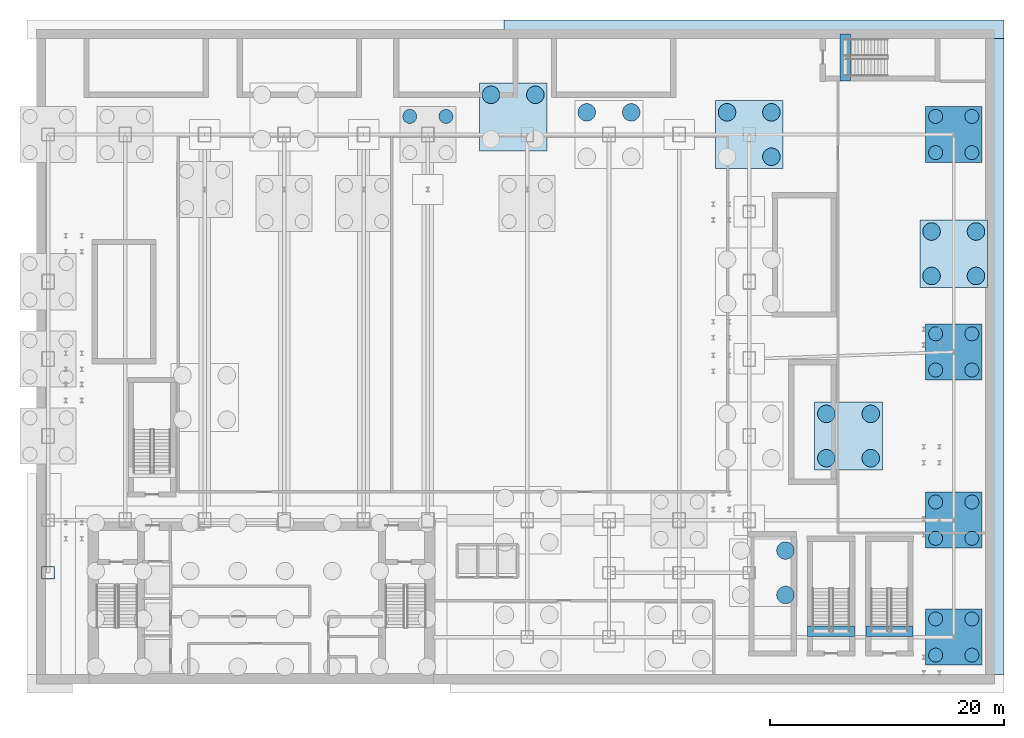
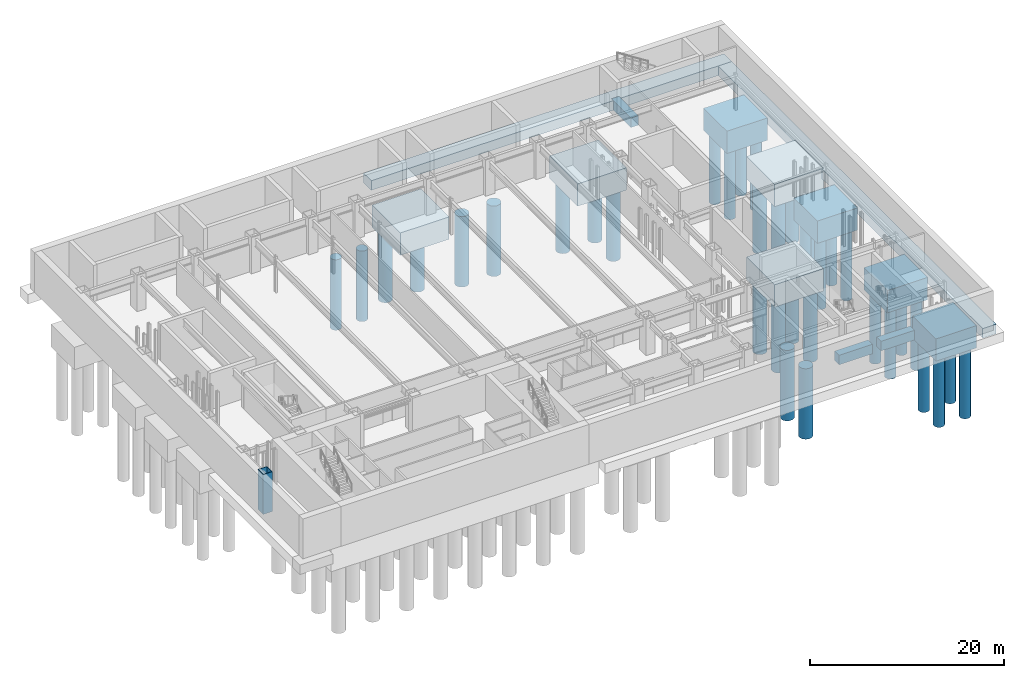
# One storey, part 2 of 17: 35 piles, 13 footings, 1 column.
"""IFC4 building model written with IfcOpenShell, lengths in metres."""

import ifcopenshell
import ifcopenshell.guid

model = None  # the IFC model being written
_history = None  # IfcOwnerHistory: only IFC2X3 demands one
_inside = {}  # id of a spatial element -> (the spatial element, [elements in it])
_under = {}  # id of a project, library or spatial element -> (it, [spatial elements below it])
_declared = {}  # id of a project -> (the project, [libraries it declares])
_typed = {}  # id of a type object -> (the type object, [elements of that type])
_made_of = {}  # id of a material, layer set ... -> (it, [elements and type objects made of it])


def new_model(schema):
    """Start an empty IFC model of exactly this schema.

    Asked for "IFC4X3", IfcOpenShell would pick the latest addendum, in which some entities
    have other attributes; the version numbers below select the first issue.
    IFC2X3 requires an IfcOwnerHistory on every rooted entity: one is made here for all.
    """
    global model, _history
    if schema == "IFC4X3":
        model = ifcopenshell.file(schema_version=(4, 3, 0, 0))
    else:
        model = ifcopenshell.file(schema=schema)
    _inside.clear()
    _under.clear()
    _declared.clear()
    _typed.clear()
    _made_of.clear()
    _history = None
    if model.schema == "IFC2X3":
        org = make("IfcOrganization", Name="unknown")
        user = make(
            "IfcPersonAndOrganization",
            ThePerson=make("IfcPerson", FamilyName="unknown"),
            TheOrganization=org,
        )
        app = make(
            "IfcApplication",
            ApplicationDeveloper=org,
            Version="unknown",
            ApplicationFullName="unknown",
            ApplicationIdentifier="unknown",
        )
        _history = make(
            "IfcOwnerHistory",
            OwningUser=user,
            OwningApplication=app,
            ChangeAction="ADDED",
            CreationDate=0,
        )
    return model


def make(cls, **values):
    """One entity of the class cls with the attributes given. An attribute that is None is left unset."""
    return model.create_entity(
        cls, **{name: value for name, value in values.items() if value is not None}
    )


def rooted(cls, **values):
    """An entity with a GlobalId (a new one), such as an element, a storey or a relation."""
    return make(cls, GlobalId=ifcopenshell.guid.new(), OwnerHistory=_history, **values)


def si_unit(unit_type, name, prefix=None):
    """IfcSIUnit, for example si_unit("LENGTHUNIT", "METRE", prefix="MILLI")."""
    return make("IfcSIUnit", UnitType=unit_type, Prefix=prefix, Name=name)


def derived_unit(unit_type, elements):
    """IfcDerivedUnit: a product of units, each with its exponent."""
    return make(
        "IfcDerivedUnit",
        Elements=[
            make("IfcDerivedUnitElement", Unit=unit, Exponent=power)
            for unit, power in elements
        ],
        UnitType=unit_type,
    )


def assignment(units):
    """IfcUnitAssignment: the units of a project."""
    return None if units is None else make("IfcUnitAssignment", Units=units)


def point(xyz):
    """IfcCartesianPoint."""
    return None if xyz is None else make("IfcCartesianPoint", Coordinates=xyz)


def direction(xyz):
    """IfcDirection."""
    return None if xyz is None else make("IfcDirection", DirectionRatios=xyz)


def frame(location, z_axis=None, x_axis=None):
    """IfcAxis2Placement3D, a coordinate frame: its origin and axes. An axis left out is left unset."""
    return make(
        "IfcAxis2Placement3D",
        Location=point(location),
        Axis=direction(z_axis),
        RefDirection=direction(x_axis),
    )


def frame_2d(location, x_axis=None):
    """IfcAxis2Placement2D, a coordinate frame in the plane: its origin and x axis."""
    return make(
        "IfcAxis2Placement2D", Location=point(location), RefDirection=direction(x_axis)
    )


def origin():
    """The frame at (0, 0, 0) with its axes left unset."""
    return frame((0.0, 0.0, 0.0))


def origin_2d():
    """The frame at (0, 0) in the plane with its x axis left unset."""
    return frame_2d((0.0, 0.0))


def place(relative_to, where):
    """IfcLocalPlacement: puts the frame where relative to a parent placement (None: the world)."""
    return make(
        "IfcLocalPlacement", PlacementRelTo=relative_to, RelativePlacement=where
    )


def context(
    kind, dimensions, precision=None, world=None, true_north=None, identifier=None
):
    """IfcGeometricRepresentationContext, for example the 3D "Model" context."""
    return make(
        "IfcGeometricRepresentationContext",
        ContextIdentifier=identifier,
        ContextType=kind,
        CoordinateSpaceDimension=dimensions,
        Precision=precision,
        WorldCoordinateSystem=world,
        TrueNorth=true_north,
    )


def subcontext(parent, identifier, kind, view, scale=None):
    """IfcGeometricRepresentationSubContext, for example "Body" below "Model"."""
    return make(
        "IfcGeometricRepresentationSubContext",
        ContextIdentifier=identifier,
        ContextType=kind,
        ParentContext=parent,
        TargetScale=scale,
        TargetView=view,
    )


def project(units=None, contexts=None):
    """IfcProject with its units and contexts."""
    return rooted(
        "IfcProject",
        Name="project",
        RepresentationContexts=contexts,
        UnitsInContext=assignment(units),
    )


def spatial(cls, under=None, at=None, **own):
    """A site, building, storey or space (cls), placed at a placement, below another one or the project."""
    s = rooted(cls, ObjectPlacement=at, **own)
    if under is not None:
        _under.setdefault(under.id(), (under, []))[1].append(s)
    return s


def polyline(points):
    """IfcPolyline through the points."""
    return make("IfcPolyline", Points=[point(p) for p in points])


def profile(cls, at=None, kind="AREA", **sizes):
    """A parametric profile (cls). Its sizes go by their IFC names, for example OverallWidth=200.0."""
    return make(cls, ProfileType=kind, Position=at, **sizes)


def rectangle(**sizes):
    """IfcRectangleProfileDef."""
    return profile("IfcRectangleProfileDef", **sizes)


def hollow_rectangle(**sizes):
    """IfcRectangleHollowProfileDef."""
    return profile("IfcRectangleHollowProfileDef", **sizes)


def circle(**sizes):
    """IfcCircleProfileDef."""
    return profile("IfcCircleProfileDef", **sizes)


def outline(outer, holes=None, kind="AREA"):
    """IfcArbitraryClosedProfileDef: a profile drawn as a closed curve; with holes, ...WithVoids."""
    if holes is None:
        return make("IfcArbitraryClosedProfileDef", ProfileType=kind, OuterCurve=outer)
    return make(
        "IfcArbitraryProfileDefWithVoids",
        ProfileType=kind,
        OuterCurve=outer,
        InnerCurves=holes,
    )


def extrude(swept, where, along, depth):
    """IfcExtrudedAreaSolid: the profile swept, set in the frame where, extruded along a direction by depth."""
    return make(
        "IfcExtrudedAreaSolid",
        SweptArea=swept,
        Position=where,
        ExtrudedDirection=direction(along),
        Depth=depth,
    )


def shape(context_of_items, identifier, shape_type, items):
    """IfcShapeRepresentation: the items that make up one representation, for example the "Body"."""
    return make(
        "IfcShapeRepresentation",
        ContextOfItems=context_of_items,
        RepresentationIdentifier=identifier,
        RepresentationType=shape_type,
        Items=items,
    )


def source(mapping_origin, context_of_items, identifier, shape_type, items):
    """IfcRepresentationMap: a shape defined once, which mapped items show again and again."""
    return make(
        "IfcRepresentationMap",
        MappingOrigin=mapping_origin,
        MappedRepresentation=shape(context_of_items, identifier, shape_type, items),
    )


def transform(
    local_origin,
    x_axis=None,
    y_axis=None,
    z_axis=None,
    scale=None,
    scale2=None,
    scale3=None,
    uniform=True,
):
    """IfcCartesianTransformationOperator3D, or its non-uniform kind. x_axis, y_axis, z_axis: its Axis1, 2, 3."""
    if uniform:
        return make(
            "IfcCartesianTransformationOperator3D",
            Axis1=direction(x_axis),
            Axis2=direction(y_axis),
            LocalOrigin=point(local_origin),
            Scale=scale,
            Axis3=direction(z_axis),
        )
    return make(
        "IfcCartesianTransformationOperator3DnonUniform",
        Axis1=direction(x_axis),
        Axis2=direction(y_axis),
        LocalOrigin=point(local_origin),
        Scale=scale,
        Axis3=direction(z_axis),
        Scale2=scale2,
        Scale3=scale3,
    )


def mapped(mapping_source, mapping_target):
    """IfcMappedItem: shows the shape of a source again, moved by a transform."""
    return make(
        "IfcMappedItem", MappingSource=mapping_source, MappingTarget=mapping_target
    )


def material(Name=None, Category=None):
    """IfcMaterial."""
    return make("IfcMaterial", Name=Name, Category=Category)


def material_profile(
    of_material, cross_section, Name=None, Category=None, Priority=None
):
    """IfcMaterialProfile: a cross section and its material."""
    return make(
        "IfcMaterialProfile",
        Name=Name,
        Material=of_material,
        Profile=cross_section,
        Priority=Priority,
        Category=Category,
    )


def profile_set(profiles, Name=None, composite=None):
    """IfcMaterialProfileSet."""
    return make(
        "IfcMaterialProfileSet",
        Name=Name,
        MaterialProfiles=profiles,
        CompositeProfile=composite,
    )


def made_of(thing, what):
    """Note that an element or type object is made of a material, layer set ...; save() writes the relation."""
    if what is not None:
        _made_of.setdefault(what.id(), (what, []))[1].append(thing)
    return thing


def type_object(cls, material=None, **own):
    """A type object (cls), such as IfcWallType, which elements share."""
    return made_of(rooted(cls, **own), material)


def element(
    cls,
    number,
    at=None,
    inside=None,
    cuts=None,
    type_object=None,
    material=None,
    context=None,
    identifier="Body",
    shape_type=None,
    held_by="IfcProductDefinitionShape",
    body=None,
    shapes=None,
    **own,
):
    """One element of the class cls, such as IfcWall. Its Tag is "e" and its number.

    at: its placement. inside: the storey or other place that contains it. cuts: it is an
    opening in that element (IfcRelVoidsElement). A single representation is given by context,
    identifier, shape_type and body (its items); several are given by shapes. held_by: the class
    of the entity that holds the representations. save() writes the other relations.
    """
    e = rooted(cls, Tag="e%d" % number, ObjectPlacement=at, **own)
    if body is not None:
        shapes = [shape(context, identifier, shape_type, body)]
    if shapes is not None:
        e.Representation = make(held_by, Representations=shapes)
    if inside is not None:
        _inside.setdefault(inside.id(), (inside, []))[1].append(e)
    if cuts is not None:
        rooted(
            "IfcRelVoidsElement", RelatingBuildingElement=cuts, RelatedOpeningElement=e
        )
    if type_object is not None:
        _typed.setdefault(type_object.id(), (type_object, []))[1].append(e)
    return made_of(e, material)


def aggregate(whole, parts):
    """IfcRelAggregates: a whole, such as a stair, and the parts it consists of."""
    return rooted("IfcRelAggregates", RelatingObject=whole, RelatedObjects=parts)


def save(model, path):
    """Write the relations noted so far, then the file.

    IfcRelAggregates (storeys below a building ...), IfcRelContainedInSpatialStructure (elements
    in a storey), IfcRelDefinesByType, IfcRelAssociatesMaterial and IfcRelDeclares: one each for
    every whole, place, type object, material and project.
    """
    for whole, parts in _under.values():
        aggregate(whole, parts)
    for where, things in _inside.values():
        rooted(
            "IfcRelContainedInSpatialStructure",
            RelatedElements=things,
            RelatingStructure=where,
        )
    for kind, things in _typed.values():
        rooted("IfcRelDefinesByType", RelatedObjects=things, RelatingType=kind)
    for what, things in _made_of.values():
        rooted("IfcRelAssociatesMaterial", RelatedObjects=things, RelatingMaterial=what)
    for by, libraries in _declared.values():
        rooted("IfcRelDeclares", RelatingContext=by, RelatedDefinitions=libraries)
    model.write(path)


model = new_model("IFC4")

# Units and contexts
model_context = context("Model", 3, precision=1e-05, world=origin(), true_north=direction((0.0, 1.0)))
body_context = subcontext(model_context, "Body", "Model", "MODEL_VIEW")
ifc_project = project(units=[si_unit("LENGTHUNIT", "METRE"), si_unit("AREAUNIT", "SQUARE_METRE"), si_unit("VOLUMEUNIT", "CUBIC_METRE"), si_unit("PLANEANGLEUNIT", "RADIAN"), si_unit("MASSUNIT", "GRAM", prefix="KILO"), derived_unit("THERMALTRANSMITTANCEUNIT", [(si_unit("POWERUNIT", "WATT"), 1), (si_unit("LENGTHUNIT", "METRE"), -2), (si_unit("THERMODYNAMICTEMPERATUREUNIT", "KELVIN"), -1)])], contexts=[model_context])

# Site, building, storey
site_placement = place(None, origin())
site = spatial("IfcSite", under=ifc_project, at=site_placement, CompositionType="ELEMENT")
building_placement = place(site_placement, origin())
building = spatial("IfcBuilding", under=site, at=building_placement, Name="Skarnbrae Concourse Arena and Tower", CompositionType="ELEMENT")
storey_placement = place(building_placement, frame((0.0, 0.0, -10.0)))
storey = spatial("IfcBuildingStorey", under=building, at=storey_placement, Name="B02", CompositionType="ELEMENT", Elevation=-10.0)

# Footings
ifc_material_1 = material(Name="Concrete 50 MPa (C50/60)", Category="concrete")
footing_type_1 = type_object("IfcFootingType", Name="FTG-PAD-2600X2600", PredefinedType="PAD_FOOTING", material=ifc_material_1)
footing_1_placement = place(storey_placement, frame((0.0, 0.0, -1.199951171875)))
element("IfcFooting", 1, at=footing_1_placement, inside=storey, type_object=footing_type_1, Name="B02 Stair ST-B1 sleeper pad footing", PredefinedType="PAD_FOOTING", context=body_context, shape_type="SweptSolid", body=[
    extrude(outline(polyline([(66.0, 4.050048828125), (70.0, 4.050048828125), (70.0, 4.949951171875), (66.0, 4.949951171875), (66.0, 4.050048828125)])), origin(), (0.0, 0.0, 1.0), 1.199951171875),
])
footing_2_placement = place(storey_placement, frame((0.0, 0.0, -1.199951171875)))
element("IfcFooting", 2, at=footing_2_placement, inside=storey, type_object=footing_type_1, Name="B02 Stair ST-B2 sleeper pad footing", PredefinedType="PAD_FOOTING", context=body_context, shape_type="SweptSolid", body=[
    extrude(outline(polyline([(71.0, 4.050048828125), (75.0, 4.050048828125), (75.0, 4.949951171875), (71.0, 4.949951171875), (71.0, 4.050048828125)])), origin(), (0.0, 0.0, 1.0), 1.199951171875),
])
footing_3_placement = place(storey_placement, frame((0.0, 0.0, -1.199951171875)))
element("IfcFooting", 3, at=footing_3_placement, inside=storey, type_object=footing_type_1, Name="B02 Stair ST-B4 sleeper pad footing", PredefinedType="PAD_FOOTING", context=body_context, shape_type="SweptSolid", body=[
    extrude(outline(polyline([(68.75, 51.60009765625), (69.64990234375, 51.60009765625), (69.64990234375, 55.60009765625), (68.75, 55.60009765625), (68.75, 51.60009765625)])), origin(), (0.0, 0.0, 1.0), 1.199951171875),
])
footing_type_2 = type_object("IfcFootingType", Name="FTG-STRIP-1600X1200", PredefinedType="STRIP_FOOTING", material=ifc_material_1)
footing_4_placement = place(storey_placement, frame((0.0, 0.0, -1.199951171875)))
element("IfcFooting", 4, at=footing_4_placement, inside=storey, type_object=footing_type_2, Name="Perimeter retaining strip footing SF-NORTH-E", PredefinedType="STRIP_FOOTING", context=body_context, shape_type="SweptSolid", body=[
    extrude(outline(polyline([(40.0, 55.199951171875), (82.800048828125, 55.199951171875), (82.800048828125, 56.800048828125), (40.0, 56.800048828125), (40.0, 55.199951171875)])), origin(), (0.0, 0.0, 1.0), 1.199951171875),
])
footing_5_placement = place(storey_placement, frame((0.0, 0.0, -1.199951171875)))
element("IfcFooting", 5, at=footing_5_placement, inside=storey, type_object=footing_type_2, Name="Perimeter retaining strip footing SF-EAST", PredefinedType="STRIP_FOOTING", context=body_context, shape_type="SweptSolid", body=[
    extrude(outline(polyline([(81.199951171875, 0.800048828125), (82.800048828125, 0.800048828125), (82.800048828125, 55.199951171875), (81.199951171875, 55.199951171875), (81.199951171875, 0.800048828125)])), origin(), (0.0, 0.0, 1.0), 1.199951171875),
])

# Piles
ifc_material_profile_1 = material_profile(ifc_material_1, circle(Radius=0.75, at=origin_2d()), Name="CAISSON-1500")
ifc_profile_set_1 = profile_set([ifc_material_profile_1], Name="Concrete 50 MPa (C50/60)")
pile_type_1 = type_object("IfcPileType", Name="PILE-BORED-1500", PredefinedType="BORED", material=ifc_profile_set_1)
shared_shape_1 = source(origin(), body_context, "Body", "SweptSolid", [
    extrude(circle(Radius=0.75, at=origin_2d()), origin(), (0.0, 0.0, 1.0), 8.85009765625),
])
for number, where, z_axis, x_axis, name in (
    (6, (38.89990234375, 50.39990234375, -2.64990234375), (0.0, 0.0, -1.0), (1.0, 0.0, 0.0), "Bored rock-socketed caisson pile 039 (PL-1500)"),
    (7, (42.699951171875, 50.39990234375, -2.64990234375), (0.0, 0.0, -1.0), (1.0, 0.0, 0.0), "Bored rock-socketed caisson pile 040 (PL-1500)"),
    (8, (47.10009765625, 48.89990234375, -2.64990234375), (0.0, 0.0, -1.0), (1.0, 0.0, 0.0), "Bored rock-socketed caisson pile 043 (PL-1500)"),
    (9, (50.89990234375, 48.89990234375, -2.64990234375), (0.0, 0.0, -1.0), (1.0, 0.0, 0.0), "Bored rock-socketed caisson pile 044 (PL-1500)"),
    (10, (62.89990234375, 45.10009765625, -2.64990234375), (0.0, 0.0, -1.0), (1.0, 0.0, 0.0), "Bored rock-socketed caisson pile 046 (PL-1500)"),
    (11, (59.10009765625, 48.89990234375, -2.64990234375), (0.0, 0.0, -1.0), (1.0, 0.0, 0.0), "Bored rock-socketed caisson pile 047 (PL-1500)"),
    (12, (62.89990234375, 48.89990234375, -2.64990234375), (0.0, 0.0, -1.0), (1.0, 0.0, 0.0), "Bored rock-socketed caisson pile 048 (PL-1500)"),
    (13, (64.10009765625, 7.60009765625, -2.64990234375), (0.0, 0.0, -1.0), (1.0, 0.0, 0.0), "Bored rock-socketed caisson pile 054 (PL-1500)"),
    (14, (64.10009765625, 11.39990234375, -2.64990234375), (0.0, 0.0, -1.0), (1.0, 0.0, 0.0), "Bored rock-socketed caisson pile 056 (PL-1500)"),
    (15, (76.60009765625, 34.89990234375, -2.64990234375), (0.0, 0.0, -1.0), (1.0, 0.0, 0.0), "Bored rock-socketed caisson pile 073 (PL-1500)"),
    (16, (80.39990234375, 34.89990234375, -2.64990234375), (0.0, 0.0, -1.0), (1.0, 0.0, 0.0), "Bored rock-socketed caisson pile 074 (PL-1500)"),
    (17, (76.60009765625, 38.699951171875, -2.64990234375), (0.0, 0.0, -1.0), (1.0, 0.0, 0.0), "Bored rock-socketed caisson pile 075 (PL-1500)"),
    (18, (80.39990234375, 38.699951171875, -2.64990234375), (0.0, 0.0, -1.0), (1.0, 0.0, 0.0), "Bored rock-socketed caisson pile 076 (PL-1500)"),
    (19, (67.60009765625, 19.300048828125, -2.64990234375), (0.0, 0.0, -1.0), (1.0, 0.0, 0.0), "Bored rock-socketed caisson pile 081 (PL-1500)"),
    (20, (71.39990234375, 19.300048828125, -2.64990234375), (0.0, 0.0, -1.0), (1.0, 0.0, 0.0), "Bored rock-socketed caisson pile 082 (PL-1500)"),
    (21, (67.60009765625, 23.10009765625, -2.64990234375), (0.0, 0.0, -1.0), (1.0, 0.0, 0.0), "Bored rock-socketed caisson pile 083 (PL-1500)"),
    (22, (71.39990234375, 23.10009765625, -2.64990234375), (0.0, 0.0, -1.0), (1.0, 0.0, 0.0), "Bored rock-socketed caisson pile 084 (PL-1500)"),
):
    element("IfcPile", number, at=place(storey_placement, frame(where, z_axis=z_axis, x_axis=x_axis)), inside=storey, type_object=pile_type_1, Name=name, PredefinedType="BORED", context=body_context, shape_type="MappedRepresentation", body=[
        mapped(shared_shape_1, transform((0.0, 0.0, 0.0))),
    ])

# Footings
footing_type_3 = type_object("IfcFootingType", Name="FTG-PILE-CAP-5800X5800", PredefinedType="PILE_CAP", material=ifc_material_1)
shared_shape_2 = source(origin(), body_context, "Body", "SweptSolid", [
    extrude(rectangle(XDim=5.800048828125, YDim=5.800048828125, at=origin_2d()), origin(), (0.0, 0.0, 1.0), 2.800048828125),
])
for number, where, z_axis, x_axis, name in (
    (23, (40.800048828125, 48.5, -2.7998046875), (0.0, 0.0, 1.0), (1.0, 0.0, 0.0), "Reinforced concrete pile cap FC-01 (FND-CAP-MC4-02)"),
    (24, (61.0, 47.0, -2.7998046875), (0.0, 0.0, 1.0), (1.0, 0.0, 0.0), "Reinforced concrete pile cap FC-01 (FND-CAP-MC4-04)"),
    (25, (78.5, 36.800048828125, -2.7998046875), (0.0, 0.0, 1.0), (1.0, 0.0, 0.0), "Reinforced concrete pile cap FC-01 (FND-CAP-MC4-11)"),
    (26, (69.5, 21.199951171875, -2.7998046875), (0.0, 0.0, 1.0), (1.0, 0.0, 0.0), "Reinforced concrete pile cap FC-01 (FND-CAP-MC4-13)"),
):
    element("IfcFooting", number, at=place(storey_placement, frame(where, z_axis=z_axis, x_axis=x_axis)), inside=storey, type_object=footing_type_3, Name=name, PredefinedType="PILE_CAP", context=body_context, shape_type="MappedRepresentation", body=[
        mapped(shared_shape_2, transform((0.0, 0.0, 0.0))),
    ])
footing_type_4 = type_object("IfcFootingType", Name="FTG-PILE-CAP-4800X4800", PredefinedType="PILE_CAP", material=ifc_material_1)
shared_shape_3 = source(origin(), body_context, "Body", "SweptSolid", [
    extrude(rectangle(XDim=4.800048828125, YDim=4.800048828125, at=origin_2d()), origin(), (0.0, 0.0, 1.0), 2.800048828125),
])
for number, where, z_axis, x_axis, name in (
    (27, (78.5, 4.0, -2.7998046875), (0.0, 0.0, 1.0), (1.0, 0.0, 0.0), "Reinforced concrete pile cap FC-02 (FND-CAP-PC4-08)"),
    (28, (78.5, 14.0, -2.7998046875), (0.0, 0.0, 1.0), (1.0, 0.0, 0.0), "Reinforced concrete pile cap FC-02 (FND-CAP-PC4-09)"),
    (29, (78.5, 28.39990234375, -2.7998046875), (0.0, 0.0, 1.0), (1.0, 0.0, 0.0), "Reinforced concrete pile cap FC-02 (FND-CAP-PC4-10)"),
    (30, (78.5, 47.0, -2.7998046875), (0.0, 0.0, 1.0), (1.0, 0.0, 0.0), "Reinforced concrete pile cap FC-02 (FND-CAP-PC4-11)"),
):
    element("IfcFooting", number, at=place(storey_placement, frame(where, z_axis=z_axis, x_axis=x_axis)), inside=storey, type_object=footing_type_4, Name=name, PredefinedType="PILE_CAP", context=body_context, shape_type="MappedRepresentation", body=[
        mapped(shared_shape_3, transform((0.0, 0.0, 0.0))),
    ])

# Piles
ifc_material_profile_2 = material_profile(ifc_material_1, circle(Radius=0.60009765625, at=origin_2d()), Name="CAISSON-1200")
ifc_profile_set_2 = profile_set([ifc_material_profile_2], Name="Concrete 50 MPa (C50/60)")
pile_type_2 = type_object("IfcPileType", Name="PILE-BORED-1200", PredefinedType="BORED", material=ifc_profile_set_2)
shared_shape_4 = source(origin(), body_context, "Body", "SweptSolid", [
    extrude(circle(Radius=0.60009765625, at=origin_2d()), origin(), (0.0, 0.0, 1.0), 8.85009765625),
])
for number, where, z_axis, x_axis, name in (
    (31, (31.949951171875, 48.550048828125, -2.64990234375), (0.0, 0.0, -1.0), (1.0, 0.0, 0.0), "Bored rock-socketed caisson pile 107 (PL-1200)"),
    (32, (35.050048828125, 48.550048828125, -2.64990234375), (0.0, 0.0, -1.0), (1.0, 0.0, 0.0), "Bored rock-socketed caisson pile 108 (PL-1200)"),
    (33, (76.949951171875, 2.449951171875, -2.64990234375), (0.0, 0.0, -1.0), (1.0, 0.0, 0.0), "Bored rock-socketed caisson pile 113 (PL-1200)"),
    (34, (80.050048828125, 2.449951171875, -2.64990234375), (0.0, 0.0, -1.0), (1.0, 0.0, 0.0), "Bored rock-socketed caisson pile 114 (PL-1200)"),
    (35, (76.949951171875, 5.550048828125, -2.64990234375), (0.0, 0.0, -1.0), (1.0, 0.0, 0.0), "Bored rock-socketed caisson pile 115 (PL-1200)"),
    (36, (80.050048828125, 5.550048828125, -2.64990234375), (0.0, 0.0, -1.0), (1.0, 0.0, 0.0), "Bored rock-socketed caisson pile 116 (PL-1200)"),
    (37, (76.949951171875, 12.449951171875, -2.64990234375), (0.0, 0.0, -1.0), (1.0, 0.0, 0.0), "Bored rock-socketed caisson pile 117 (PL-1200)"),
    (38, (80.050048828125, 12.449951171875, -2.64990234375), (0.0, 0.0, -1.0), (1.0, 0.0, 0.0), "Bored rock-socketed caisson pile 118 (PL-1200)"),
    (39, (76.949951171875, 15.550048828125, -2.64990234375), (0.0, 0.0, -1.0), (1.0, 0.0, 0.0), "Bored rock-socketed caisson pile 119 (PL-1200)"),
    (40, (80.050048828125, 15.550048828125, -2.64990234375), (0.0, 0.0, -1.0), (1.0, 0.0, 0.0), "Bored rock-socketed caisson pile 120 (PL-1200)"),
    (41, (76.949951171875, 26.85009765625, -2.64990234375), (0.0, 0.0, -1.0), (1.0, 0.0, 0.0), "Bored rock-socketed caisson pile 121 (PL-1200)"),
    (42, (80.050048828125, 26.85009765625, -2.64990234375), (0.0, 0.0, -1.0), (1.0, 0.0, 0.0), "Bored rock-socketed caisson pile 122 (PL-1200)"),
    (43, (76.949951171875, 29.949951171875, -2.64990234375), (0.0, 0.0, -1.0), (1.0, 0.0, 0.0), "Bored rock-socketed caisson pile 123 (PL-1200)"),
    (44, (80.050048828125, 29.949951171875, -2.64990234375), (0.0, 0.0, -1.0), (1.0, 0.0, 0.0), "Bored rock-socketed caisson pile 124 (PL-1200)"),
    (45, (76.949951171875, 45.449951171875, -2.64990234375), (0.0, 0.0, -1.0), (1.0, 0.0, 0.0), "Bored rock-socketed caisson pile 125 (PL-1200)"),
    (46, (80.050048828125, 45.449951171875, -2.64990234375), (0.0, 0.0, -1.0), (1.0, 0.0, 0.0), "Bored rock-socketed caisson pile 126 (PL-1200)"),
    (47, (76.949951171875, 48.550048828125, -2.64990234375), (0.0, 0.0, -1.0), (1.0, 0.0, 0.0), "Bored rock-socketed caisson pile 127 (PL-1200)"),
    (48, (80.050048828125, 48.550048828125, -2.64990234375), (0.0, 0.0, -1.0), (1.0, 0.0, 0.0), "Bored rock-socketed caisson pile 128 (PL-1200)"),
):
    element("IfcPile", number, at=place(storey_placement, frame(where, z_axis=z_axis, x_axis=x_axis)), inside=storey, type_object=pile_type_2, Name=name, PredefinedType="BORED", context=body_context, shape_type="MappedRepresentation", body=[
        mapped(shared_shape_4, transform((0.0, 0.0, 0.0))),
    ])

# Column
ifc_material_2 = material(Name="Steel CSA G40.21 350W", Category="steel")
ifc_material_profile_3 = material_profile(ifc_material_2, hollow_rectangle(XDim=1.10009765625, YDim=1.10009765625, WallThickness=0.050048828125, at=origin_2d()), Name="BOX1100X1100X50")
ifc_profile_set_3 = profile_set([ifc_material_profile_3], Name="Steel CSA G40.21 350W")
column_type = type_object("IfcColumnType", Name="COL-MEGA-BOX1100", PredefinedType="PILASTER", material=ifc_profile_set_3)
shared_shape_5 = source(origin(), body_context, "Body", "SweptSolid", [
    extrude(hollow_rectangle(XDim=1.10009765625, YDim=1.10009765625, WallThickness=0.050048828125, at=origin_2d()), origin(), (0.0, 0.0, 1.0), 5.0),
])
column_placement = place(storey_placement, frame((1.0, 9.5, 0.0), z_axis=(0.0, 0.0, 1.0), x_axis=(1.0, 0.0, 0.0)))
element("IfcColumn", 49, at=column_placement, inside=storey, type_object=column_type, Name="B02 Podium mega-column MC-W0", PredefinedType="PILASTER", context=body_context, shape_type="MappedRepresentation", body=[
    mapped(shared_shape_5, transform((0.0, 0.0, 0.0))),
])

save(model, "model.ifc")
